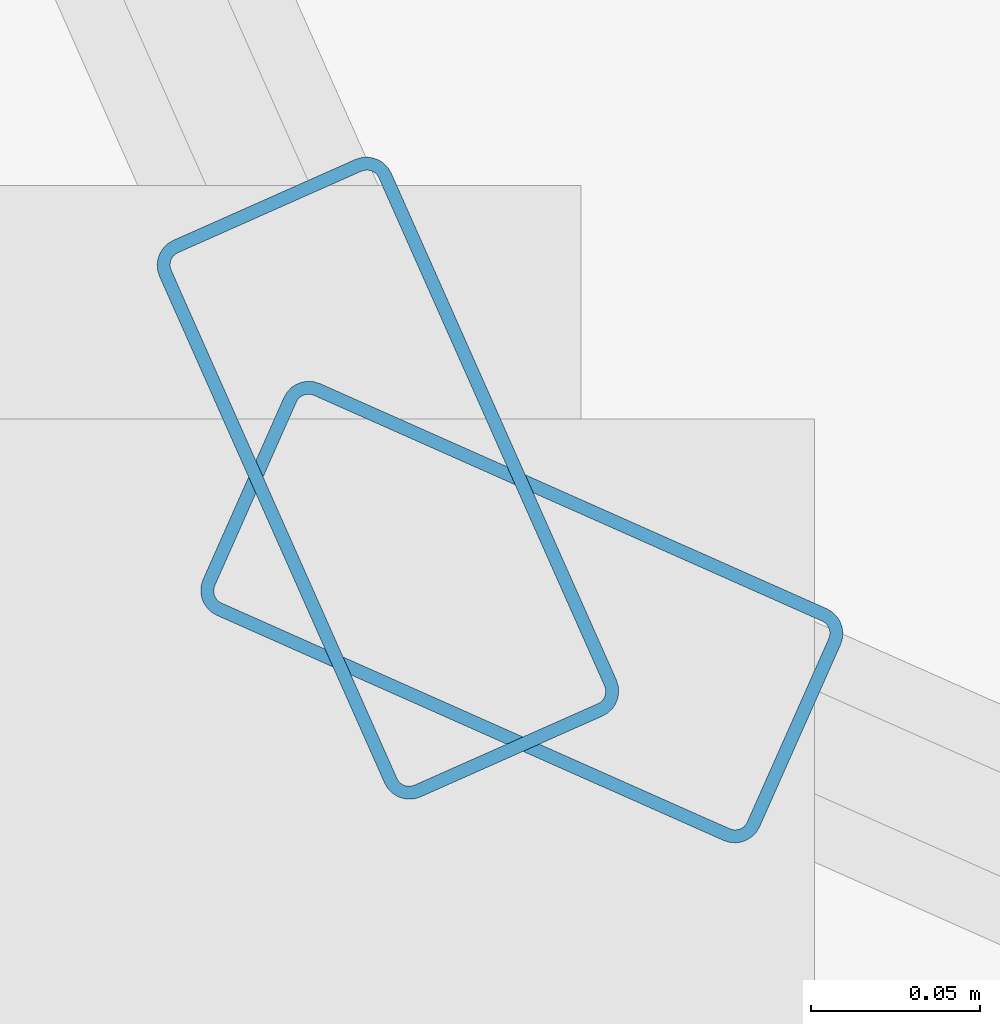
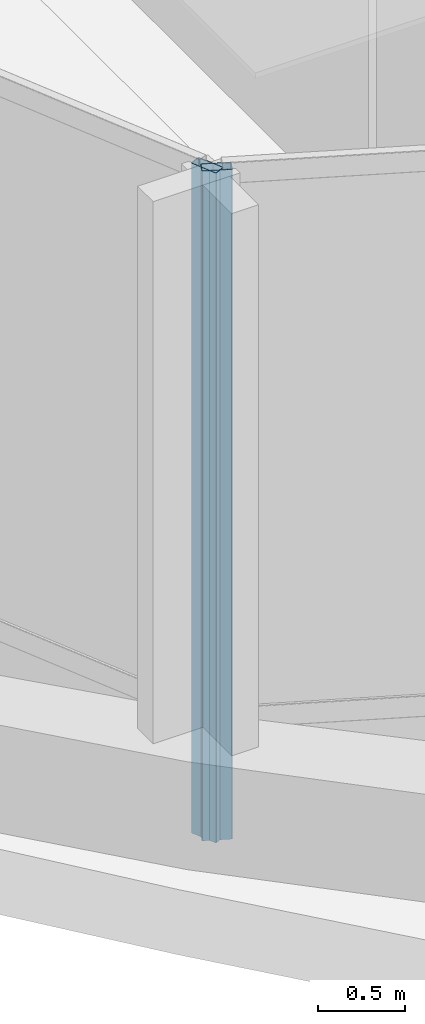
# One storey, part 2 of 33: 2 members, 2 elements without a shape of their own.
"""IFC4 building model written with IfcOpenShell, lengths in metres."""

import ifcopenshell
import ifcopenshell.guid

model = None  # the IFC model being written
_history = None  # IfcOwnerHistory: only IFC2X3 demands one
_inside = {}  # id of a spatial element -> (the spatial element, [elements in it])
_under = {}  # id of a project, library or spatial element -> (it, [spatial elements below it])
_declared = {}  # id of a project -> (the project, [libraries it declares])
_typed = {}  # id of a type object -> (the type object, [elements of that type])
_made_of = {}  # id of a material, layer set ... -> (it, [elements and type objects made of it])


def new_model(schema):
    """Start an empty IFC model of exactly this schema.

    Asked for "IFC4X3", IfcOpenShell would pick the latest addendum, in which some entities
    have other attributes; the version numbers below select the first issue.
    IFC2X3 requires an IfcOwnerHistory on every rooted entity: one is made here for all.
    """
    global model, _history
    if schema == "IFC4X3":
        model = ifcopenshell.file(schema_version=(4, 3, 0, 0))
    else:
        model = ifcopenshell.file(schema=schema)
    _inside.clear()
    _under.clear()
    _declared.clear()
    _typed.clear()
    _made_of.clear()
    _history = None
    if model.schema == "IFC2X3":
        org = make("IfcOrganization", Name="unknown")
        user = make(
            "IfcPersonAndOrganization",
            ThePerson=make("IfcPerson", FamilyName="unknown"),
            TheOrganization=org,
        )
        app = make(
            "IfcApplication",
            ApplicationDeveloper=org,
            Version="unknown",
            ApplicationFullName="unknown",
            ApplicationIdentifier="unknown",
        )
        _history = make(
            "IfcOwnerHistory",
            OwningUser=user,
            OwningApplication=app,
            ChangeAction="ADDED",
            CreationDate=0,
        )
    return model


def make(cls, **values):
    """One entity of the class cls with the attributes given. An attribute that is None is left unset."""
    return model.create_entity(
        cls, **{name: value for name, value in values.items() if value is not None}
    )


def rooted(cls, **values):
    """An entity with a GlobalId (a new one), such as an element, a storey or a relation."""
    return make(cls, GlobalId=ifcopenshell.guid.new(), OwnerHistory=_history, **values)


def si_unit(unit_type, name, prefix=None):
    """IfcSIUnit, for example si_unit("LENGTHUNIT", "METRE", prefix="MILLI")."""
    return make("IfcSIUnit", UnitType=unit_type, Prefix=prefix, Name=name)


def assignment(units):
    """IfcUnitAssignment: the units of a project."""
    return None if units is None else make("IfcUnitAssignment", Units=units)


def point(xyz):
    """IfcCartesianPoint."""
    return None if xyz is None else make("IfcCartesianPoint", Coordinates=xyz)


def direction(xyz):
    """IfcDirection."""
    return None if xyz is None else make("IfcDirection", DirectionRatios=xyz)


def frame(location, z_axis=None, x_axis=None):
    """IfcAxis2Placement3D, a coordinate frame: its origin and axes. An axis left out is left unset."""
    return make(
        "IfcAxis2Placement3D",
        Location=point(location),
        Axis=direction(z_axis),
        RefDirection=direction(x_axis),
    )


def frame_2d(location, x_axis=None):
    """IfcAxis2Placement2D, a coordinate frame in the plane: its origin and x axis."""
    return make(
        "IfcAxis2Placement2D", Location=point(location), RefDirection=direction(x_axis)
    )


def origin():
    """The frame at (0, 0, 0) with its axes left unset."""
    return frame((0.0, 0.0, 0.0))


def origin_2d():
    """The frame at (0, 0) in the plane with its x axis left unset."""
    return frame_2d((0.0, 0.0))


def place(relative_to, where):
    """IfcLocalPlacement: puts the frame where relative to a parent placement (None: the world)."""
    return make(
        "IfcLocalPlacement", PlacementRelTo=relative_to, RelativePlacement=where
    )


def context(
    kind, dimensions, precision=None, world=None, true_north=None, identifier=None
):
    """IfcGeometricRepresentationContext, for example the 3D "Model" context."""
    return make(
        "IfcGeometricRepresentationContext",
        ContextIdentifier=identifier,
        ContextType=kind,
        CoordinateSpaceDimension=dimensions,
        Precision=precision,
        WorldCoordinateSystem=world,
        TrueNorth=true_north,
    )


def subcontext(parent, identifier, kind, view, scale=None):
    """IfcGeometricRepresentationSubContext, for example "Body" below "Model"."""
    return make(
        "IfcGeometricRepresentationSubContext",
        ContextIdentifier=identifier,
        ContextType=kind,
        ParentContext=parent,
        TargetScale=scale,
        TargetView=view,
    )


def project(units=None, contexts=None):
    """IfcProject with its units and contexts."""
    return rooted(
        "IfcProject",
        Name="project",
        RepresentationContexts=contexts,
        UnitsInContext=assignment(units),
    )


def spatial(cls, under=None, at=None, **own):
    """A site, building, storey or space (cls), placed at a placement, below another one or the project."""
    s = rooted(cls, ObjectPlacement=at, **own)
    if under is not None:
        _under.setdefault(under.id(), (under, []))[1].append(s)
    return s


def profile(cls, at=None, kind="AREA", **sizes):
    """A parametric profile (cls). Its sizes go by their IFC names, for example OverallWidth=200.0."""
    return make(cls, ProfileType=kind, Position=at, **sizes)


def hollow_rectangle(**sizes):
    """IfcRectangleHollowProfileDef."""
    return profile("IfcRectangleHollowProfileDef", **sizes)


def extrude(swept, where, along, depth):
    """IfcExtrudedAreaSolid: the profile swept, set in the frame where, extruded along a direction by depth."""
    return make(
        "IfcExtrudedAreaSolid",
        SweptArea=swept,
        Position=where,
        ExtrudedDirection=direction(along),
        Depth=depth,
    )


def shape(context_of_items, identifier, shape_type, items):
    """IfcShapeRepresentation: the items that make up one representation, for example the "Body"."""
    return make(
        "IfcShapeRepresentation",
        ContextOfItems=context_of_items,
        RepresentationIdentifier=identifier,
        RepresentationType=shape_type,
        Items=items,
    )


def material(Name=None, Category=None):
    """IfcMaterial."""
    return make("IfcMaterial", Name=Name, Category=Category)


def layer(
    of_material, thickness, ventilated=None, Name=None, Category=None, Priority=None
):
    """IfcMaterialLayer: one layer of a wall or slab, of a material (None: an air gap)."""
    return make(
        "IfcMaterialLayer",
        Material=of_material,
        LayerThickness=thickness,
        IsVentilated=ventilated,
        Name=Name,
        Category=Category,
        Priority=Priority,
    )


def layer_set(layers, Name=None):
    """IfcMaterialLayerSet."""
    return make("IfcMaterialLayerSet", MaterialLayers=layers, LayerSetName=Name)


def material_profile(
    of_material, cross_section, Name=None, Category=None, Priority=None
):
    """IfcMaterialProfile: a cross section and its material."""
    return make(
        "IfcMaterialProfile",
        Name=Name,
        Material=of_material,
        Profile=cross_section,
        Priority=Priority,
        Category=Category,
    )


def profile_set(profiles, Name=None, composite=None):
    """IfcMaterialProfileSet."""
    return make(
        "IfcMaterialProfileSet",
        Name=Name,
        MaterialProfiles=profiles,
        CompositeProfile=composite,
    )


def made_of(thing, what):
    """Note that an element or type object is made of a material, layer set ...; save() writes the relation."""
    if what is not None:
        _made_of.setdefault(what.id(), (what, []))[1].append(thing)
    return thing


def type_object(cls, material=None, **own):
    """A type object (cls), such as IfcWallType, which elements share."""
    return made_of(rooted(cls, **own), material)


def element(
    cls,
    number,
    at=None,
    inside=None,
    cuts=None,
    type_object=None,
    material=None,
    context=None,
    identifier="Body",
    shape_type=None,
    held_by="IfcProductDefinitionShape",
    body=None,
    shapes=None,
    **own,
):
    """One element of the class cls, such as IfcWall. Its Tag is "e" and its number.

    at: its placement. inside: the storey or other place that contains it. cuts: it is an
    opening in that element (IfcRelVoidsElement). A single representation is given by context,
    identifier, shape_type and body (its items); several are given by shapes. held_by: the class
    of the entity that holds the representations. save() writes the other relations.
    """
    e = rooted(cls, Tag="e%d" % number, ObjectPlacement=at, **own)
    if body is not None:
        shapes = [shape(context, identifier, shape_type, body)]
    if shapes is not None:
        e.Representation = make(held_by, Representations=shapes)
    if inside is not None:
        _inside.setdefault(inside.id(), (inside, []))[1].append(e)
    if cuts is not None:
        rooted(
            "IfcRelVoidsElement", RelatingBuildingElement=cuts, RelatedOpeningElement=e
        )
    if type_object is not None:
        _typed.setdefault(type_object.id(), (type_object, []))[1].append(e)
    return made_of(e, material)


def aggregate(whole, parts):
    """IfcRelAggregates: a whole, such as a stair, and the parts it consists of."""
    return rooted("IfcRelAggregates", RelatingObject=whole, RelatedObjects=parts)


def save(model, path):
    """Write the relations noted so far, then the file.

    IfcRelAggregates (storeys below a building ...), IfcRelContainedInSpatialStructure (elements
    in a storey), IfcRelDefinesByType, IfcRelAssociatesMaterial and IfcRelDeclares: one each for
    every whole, place, type object, material and project.
    """
    for whole, parts in _under.values():
        aggregate(whole, parts)
    for where, things in _inside.values():
        rooted(
            "IfcRelContainedInSpatialStructure",
            RelatedElements=things,
            RelatingStructure=where,
        )
    for kind, things in _typed.values():
        rooted("IfcRelDefinesByType", RelatedObjects=things, RelatingType=kind)
    for what, things in _made_of.values():
        rooted("IfcRelAssociatesMaterial", RelatedObjects=things, RelatingMaterial=what)
    for by, libraries in _declared.values():
        rooted("IfcRelDeclares", RelatingContext=by, RelatedDefinitions=libraries)
    model.write(path)


model = new_model("IFC4")

# Units and contexts
model_context = context("Model", 3, precision=1e-05, world=origin(), true_north=direction((0.0, 1.0)))
body_context = subcontext(model_context, "Body", "Model", "MODEL_VIEW")
ifc_project = project(units=[si_unit("LENGTHUNIT", "METRE"), si_unit("AREAUNIT", "SQUARE_METRE"), si_unit("VOLUMEUNIT", "CUBIC_METRE"), si_unit("PLANEANGLEUNIT", "RADIAN"), si_unit("MASSUNIT", "GRAM", prefix="KILO")], contexts=[model_context])

# Site, building, storey
site_placement = place(None, origin())
site = spatial("IfcSite", under=ifc_project, at=site_placement, CompositionType="ELEMENT")
building_placement = place(site_placement, origin())
building = spatial("IfcBuilding", under=site, at=building_placement, Name="Solvaryn Broadcast Tower", CompositionType="ELEMENT")
storey_placement = place(building_placement, frame((0.0, 0.0, 105.0)))
storey = spatial("IfcBuildingStorey", under=building, at=storey_placement, Name="L25", CompositionType="ELEMENT", Elevation=105.0)

# Curtain wall, member
ifc_material_1 = material(Name="Aluminium and Terracotta Unitised Curtain Wall", Category="masonry")
ifc_layer = layer(ifc_material_1, 0.25)
ifc_layer_set = layer_set([ifc_layer], Name="CW-SYS4-SKYGARDEN")
curtain_wall_type = type_object("IfcCurtainWallType", Name="CW-SYS4-SKYGARDEN", PredefinedType="NOTDEFINED", material=ifc_layer_set)
curtain_wall_1_placement = place(storey_placement, origin())
curtain_wall_1 = element("IfcCurtainWall", 1, at=curtain_wall_1_placement, inside=storey, type_object=curtain_wall_type, Name="L25 Curtain Wall DR2", PredefinedType="NOTDEFINED")
ifc_material_2 = material(Name="Anodised Aluminium 6063-T6", Category="aluminium")
ifc_material_profile = material_profile(ifc_material_2, hollow_rectangle(XDim=0.074951171875, YDim=0.179931640625, WallThickness=0.00390625, InnerFilletRadius=0.00390625, OuterFilletRadius=0.008056640625, at=origin_2d()))
ifc_profile_set = profile_set([ifc_material_profile], Name="Anodised Aluminium 6063-T6")
member_type = type_object("IfcMemberType", Name="CW-MUL-180", PredefinedType="MULLION", material=ifc_profile_set)
member_1_placement = place(storey_placement, frame((8.895751953125, 8.935302734375, 0.0), z_axis=(0.0, 0.0, 1.0), x_axis=(0.913909311008, 0.405918429309, 0.0)))
member_1 = element("IfcMember", 2, at=member_1_placement, type_object=member_type, Name="CWS4 mullion 3", PredefinedType="MULLION", context=body_context, shape_type="SweptSolid", body=[
    extrude(hollow_rectangle(XDim=0.074951171875, YDim=0.179931640625, WallThickness=0.00390625, InnerFilletRadius=0.00390625, OuterFilletRadius=0.008056640625, at=origin_2d()), origin(), (0.0, 0.0, 1.0), 4.719970703125),
])
aggregate(curtain_wall_1, [member_1])

curtain_wall_2_placement = place(storey_placement, origin())
curtain_wall_2 = element("IfcCurtainWall", 3, at=curtain_wall_2_placement, inside=storey, type_object=curtain_wall_type, Name="L25 Curtain Wall DR3", PredefinedType="NOTDEFINED")
member_2_placement = place(storey_placement, frame((8.935302734375, 8.895751953125, 0.0), z_axis=(0.0, 0.0, 1.0), x_axis=(0.405918429309, 0.913909311008, 0.0)))
member_2 = element("IfcMember", 4, at=member_2_placement, type_object=member_type, Name="CWS4 mullion 1", PredefinedType="MULLION", context=body_context, shape_type="SweptSolid", body=[
    extrude(hollow_rectangle(XDim=0.074951171875, YDim=0.179931640625, WallThickness=0.00390625, InnerFilletRadius=0.00390625, OuterFilletRadius=0.008056640625, at=origin_2d()), origin(), (0.0, 0.0, 1.0), 4.719970703125),
])
aggregate(curtain_wall_2, [member_2])

save(model, "model.ifc")
